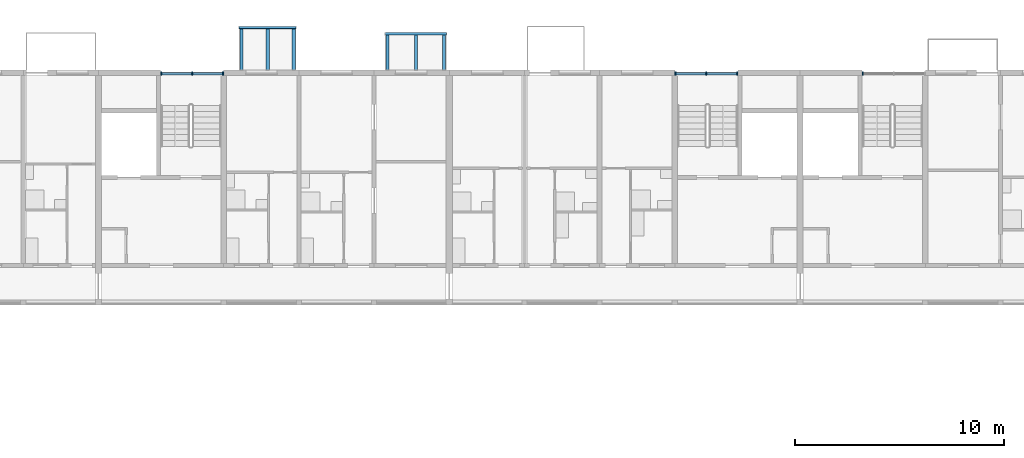
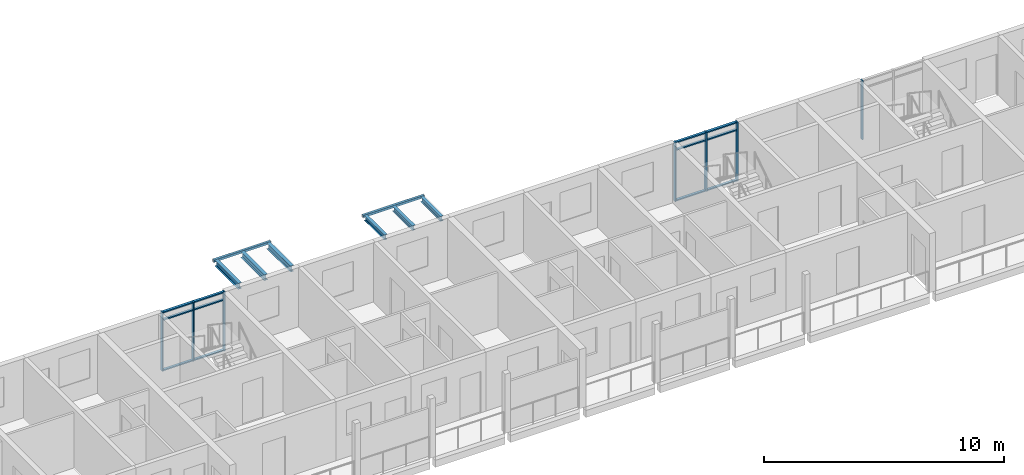
# One storey, part 22 of 100: 19 members, 8 beams, 3 elements without a shape of their own.
"""IFC4 building model written with IfcOpenShell, lengths in metres."""

from ifc_helpers import new_model, si_unit, direction, frame, origin, origin_2d, place, context, subcontext, project, spatial, rectangle, hollow_rectangle, i_section, extrude, material, material_profile, profile_set, type_object, element, aggregate, save


model = new_model("IFC4")

# Units and contexts
model_context = context("Model", 3, precision=1e-05, world=origin(), true_north=direction((0.0, 1.0)))
body_context = subcontext(model_context, "Body", "Model", "MODEL_VIEW")
ifc_project = project(units=[si_unit("LENGTHUNIT", "METRE"), si_unit("AREAUNIT", "SQUARE_METRE"), si_unit("VOLUMEUNIT", "CUBIC_METRE"), si_unit("PLANEANGLEUNIT", "RADIAN"), si_unit("MASSUNIT", "GRAM", prefix="KILO")], contexts=[model_context])

# Site, building, storey
site_placement = place(None, origin())
site = spatial("IfcSite", under=ifc_project, at=site_placement, CompositionType="ELEMENT")
building_placement = place(site_placement, origin())
building = spatial("IfcBuilding", under=site, at=building_placement, Name="Ridgestep Commons", CompositionType="ELEMENT")
storey_placement = place(building_placement, frame((0.0, 0.0, 9.0)))
storey = spatial("IfcBuildingStorey", under=building, at=storey_placement, Name="L03", CompositionType="ELEMENT", Elevation=9.0)

# Curtain wall, members
ifc_material_1 = material(Name="Aluminium 6063-T6 and glass", Category="aluminium")
curtain_wall_type = type_object("IfcCurtainWallType", Name="Curtain wall stair strip", PredefinedType="NOTDEFINED", material=ifc_material_1)
curtain_wall_1_placement = place(storey_placement, origin())
curtain_wall_1 = element("IfcCurtainWall", 1, at=curtain_wall_1_placement, inside=storey, type_object=curtain_wall_type, Name="Curtain wall C4C level 03", PredefinedType="NOTDEFINED")
ifc_material_2 = material(Name="Aluminium 6063-T6", Category="aluminium")
ifc_material_profile_1 = material_profile(ifc_material_2, rectangle(XDim=0.159912109375, YDim=0.06005859375, at=origin_2d()), Name="Mullion 60 x 160")
ifc_profile_set_1 = profile_set([ifc_material_profile_1], Name="Aluminium 6063-T6")
member_type_1 = type_object("IfcMemberType", Name="Mullion 60 x 160", PredefinedType="MULLION", material=ifc_profile_set_1)
member_1_placement = place(storey_placement, frame((200.205078125, 77.080078125, 0.0), z_axis=(0.0, 0.0, 1.0), x_axis=(0.0, 1.0, 0.0)))
member_1 = element("IfcMember", 2, at=member_1_placement, type_object=member_type_1, Name="CW1 mullion 1", PredefinedType="MULLION", context=body_context, shape_type="SweptSolid", body=[
    extrude(rectangle(XDim=0.159912109375, YDim=0.06005859375, at=origin_2d()), origin(), (0.0, 0.0, 1.0), 3.0),
])
member_2_placement = place(storey_placement, frame((201.6875, 77.080078125, 0.0), z_axis=(0.0, 0.0, 1.0), x_axis=(0.0, 1.0, 0.0)))
member_2 = element("IfcMember", 3, at=member_2_placement, type_object=member_type_1, Name="CW1 mullion 2", PredefinedType="MULLION", context=body_context, shape_type="SweptSolid", body=[
    extrude(rectangle(XDim=0.159912109375, YDim=0.06005859375, at=origin_2d()), origin(), (0.0, 0.0, 1.0), 3.0),
])
member_3_placement = place(storey_placement, frame((203.169921875, 77.080078125, 0.0), z_axis=(0.0, 0.0, 1.0), x_axis=(0.0, 1.0, 0.0)))
member_3 = element("IfcMember", 4, at=member_3_placement, type_object=member_type_1, Name="CW1 mullion 3", PredefinedType="MULLION", context=body_context, shape_type="SweptSolid", body=[
    extrude(rectangle(XDim=0.159912109375, YDim=0.06005859375, at=origin_2d()), origin(), (0.0, 0.0, 1.0), 3.0),
])

curtain_wall_2_placement = place(storey_placement, origin())
curtain_wall_2 = element("IfcCurtainWall", 5, at=curtain_wall_2_placement, inside=storey, type_object=curtain_wall_type, Name="Curtain wall C5C level 03", PredefinedType="NOTDEFINED")
member_4_placement = place(storey_placement, frame((224.830078125, 77.080078125, 0.0), z_axis=(0.0, 0.0, 1.0), x_axis=(0.0, 1.0, 0.0)))
member_4 = element("IfcMember", 6, at=member_4_placement, type_object=member_type_1, Name="CW1 mullion 1", PredefinedType="MULLION", context=body_context, shape_type="SweptSolid", body=[
    extrude(rectangle(XDim=0.159912109375, YDim=0.06005859375, at=origin_2d()), origin(), (0.0, 0.0, 1.0), 3.0),
])
member_5_placement = place(storey_placement, frame((226.3125, 77.080078125, 0.0), z_axis=(0.0, 0.0, 1.0), x_axis=(0.0, 1.0, 0.0)))
member_5 = element("IfcMember", 7, at=member_5_placement, type_object=member_type_1, Name="CW1 mullion 2", PredefinedType="MULLION", context=body_context, shape_type="SweptSolid", body=[
    extrude(rectangle(XDim=0.159912109375, YDim=0.06005859375, at=origin_2d()), origin(), (0.0, 0.0, 1.0), 3.0),
])
member_6_placement = place(storey_placement, frame((227.794921875, 77.080078125, 0.0), z_axis=(0.0, 0.0, 1.0), x_axis=(0.0, 1.0, 0.0)))
member_6 = element("IfcMember", 8, at=member_6_placement, type_object=member_type_1, Name="CW1 mullion 3", PredefinedType="MULLION", context=body_context, shape_type="SweptSolid", body=[
    extrude(rectangle(XDim=0.159912109375, YDim=0.06005859375, at=origin_2d()), origin(), (0.0, 0.0, 1.0), 3.0),
])

# Curtain wall, member
curtain_wall_3_placement = place(storey_placement, origin())
curtain_wall_3 = element("IfcCurtainWall", 9, at=curtain_wall_3_placement, inside=storey, type_object=curtain_wall_type, Name="Curtain wall C6C level 03", PredefinedType="NOTDEFINED")
member_7_placement = place(storey_placement, frame((233.804931640625, 77.080078125, 0.0), z_axis=(0.0, 0.0, 1.0), x_axis=(0.0, 1.0, 0.0)))
member_7 = element("IfcMember", 10, at=member_7_placement, type_object=member_type_1, Name="CW1 mullion 1", PredefinedType="MULLION", context=body_context, shape_type="SweptSolid", body=[
    extrude(rectangle(XDim=0.159912109375, YDim=0.06005859375, at=origin_2d()), origin(), (0.0, 0.0, 1.0), 3.0),
])
aggregate(curtain_wall_3, [member_7])

# Member
ifc_material_3 = material(Name="Aluminium 6063-T6", Category="aluminium")
ifc_material_profile_2 = material_profile(ifc_material_3, rectangle(XDim=0.1201171875, YDim=0.06005859375, at=origin_2d()), Name="Transom 60 x 120")
ifc_profile_set_2 = profile_set([ifc_material_profile_2], Name="Aluminium 6063-T6")
member_type_2 = type_object("IfcMemberType", Name="Transom 60 x 120", PredefinedType="USERDEFINED", material=ifc_profile_set_2)
member_8_placement = place(storey_placement, frame((200.235107421875, 77.080078125, 0.030029296875), z_axis=(1.0, 0.0, 0.0), x_axis=(0.0, 1.0, 0.0)))
member_8 = element("IfcMember", 11, at=member_8_placement, type_object=member_type_2, Name="CW1 transom 1.1", ObjectType="TRANSOM", PredefinedType="USERDEFINED", context=body_context, shape_type="SweptSolid", body=[
    extrude(rectangle(XDim=0.1201171875, YDim=0.06005859375, at=origin_2d()), origin(), (0.0, 0.0, 1.0), 1.42236328125),
])

member_9_placement = place(storey_placement, frame((200.235107421875, 77.080078125, 2.590087890625), z_axis=(1.0, 0.0, 0.0), x_axis=(0.0, 1.0, 0.0)))
member_9 = element("IfcMember", 12, at=member_9_placement, type_object=member_type_2, Name="CW1 transom 1.2", ObjectType="TRANSOM", PredefinedType="USERDEFINED", context=body_context, shape_type="SweptSolid", body=[
    extrude(rectangle(XDim=0.1201171875, YDim=0.06005859375, at=origin_2d()), origin(), (0.0, 0.0, 1.0), 1.42236328125),
])

member_10_placement = place(storey_placement, frame((200.235107421875, 77.080078125, 2.969970703125), z_axis=(1.0, 0.0, 0.0), x_axis=(0.0, 1.0, 0.0)))
member_10 = element("IfcMember", 13, at=member_10_placement, type_object=member_type_2, Name="CW1 transom 1.3", ObjectType="TRANSOM", PredefinedType="USERDEFINED", context=body_context, shape_type="SweptSolid", body=[
    extrude(rectangle(XDim=0.1201171875, YDim=0.06005859375, at=origin_2d()), origin(), (0.0, 0.0, 1.0), 1.42236328125),
])

member_11_placement = place(storey_placement, frame((201.717529296875, 77.080078125, 0.030029296875), z_axis=(1.0, 0.0, 0.0), x_axis=(0.0, 1.0, 0.0)))
member_11 = element("IfcMember", 14, at=member_11_placement, type_object=member_type_2, Name="CW1 transom 2.1", ObjectType="TRANSOM", PredefinedType="USERDEFINED", context=body_context, shape_type="SweptSolid", body=[
    extrude(rectangle(XDim=0.1201171875, YDim=0.06005859375, at=origin_2d()), origin(), (0.0, 0.0, 1.0), 1.42236328125),
])

member_12_placement = place(storey_placement, frame((201.717529296875, 77.080078125, 2.590087890625), z_axis=(1.0, 0.0, 0.0), x_axis=(0.0, 1.0, 0.0)))
member_12 = element("IfcMember", 15, at=member_12_placement, type_object=member_type_2, Name="CW1 transom 2.2", ObjectType="TRANSOM", PredefinedType="USERDEFINED", context=body_context, shape_type="SweptSolid", body=[
    extrude(rectangle(XDim=0.1201171875, YDim=0.06005859375, at=origin_2d()), origin(), (0.0, 0.0, 1.0), 1.42236328125),
])

member_13_placement = place(storey_placement, frame((201.717529296875, 77.080078125, 2.969970703125), z_axis=(1.0, 0.0, 0.0), x_axis=(0.0, 1.0, 0.0)))
member_13 = element("IfcMember", 16, at=member_13_placement, type_object=member_type_2, Name="CW1 transom 2.3", ObjectType="TRANSOM", PredefinedType="USERDEFINED", context=body_context, shape_type="SweptSolid", body=[
    extrude(rectangle(XDim=0.1201171875, YDim=0.06005859375, at=origin_2d()), origin(), (0.0, 0.0, 1.0), 1.42236328125),
])

aggregate(curtain_wall_1, [member_1, member_2, member_3, member_8, member_9, member_10, member_11, member_12, member_13])

member_14_placement = place(storey_placement, frame((224.860107421875, 77.080078125, 0.030029296875), z_axis=(1.0, 0.0, 0.0), x_axis=(0.0, 1.0, 0.0)))
member_14 = element("IfcMember", 17, at=member_14_placement, type_object=member_type_2, Name="CW1 transom 1.1", ObjectType="TRANSOM", PredefinedType="USERDEFINED", context=body_context, shape_type="SweptSolid", body=[
    extrude(rectangle(XDim=0.1201171875, YDim=0.06005859375, at=origin_2d()), origin(), (0.0, 0.0, 1.0), 1.42236328125),
])

member_15_placement = place(storey_placement, frame((224.860107421875, 77.080078125, 2.590087890625), z_axis=(1.0, 0.0, 0.0), x_axis=(0.0, 1.0, 0.0)))
member_15 = element("IfcMember", 18, at=member_15_placement, type_object=member_type_2, Name="CW1 transom 1.2", ObjectType="TRANSOM", PredefinedType="USERDEFINED", context=body_context, shape_type="SweptSolid", body=[
    extrude(rectangle(XDim=0.1201171875, YDim=0.06005859375, at=origin_2d()), origin(), (0.0, 0.0, 1.0), 1.42236328125),
])

member_16_placement = place(storey_placement, frame((224.860107421875, 77.080078125, 2.969970703125), z_axis=(1.0, 0.0, 0.0), x_axis=(0.0, 1.0, 0.0)))
member_16 = element("IfcMember", 19, at=member_16_placement, type_object=member_type_2, Name="CW1 transom 1.3", ObjectType="TRANSOM", PredefinedType="USERDEFINED", context=body_context, shape_type="SweptSolid", body=[
    extrude(rectangle(XDim=0.1201171875, YDim=0.06005859375, at=origin_2d()), origin(), (0.0, 0.0, 1.0), 1.42236328125),
])

member_17_placement = place(storey_placement, frame((226.342529296875, 77.080078125, 0.030029296875), z_axis=(1.0, 0.0, 0.0), x_axis=(0.0, 1.0, 0.0)))
member_17 = element("IfcMember", 20, at=member_17_placement, type_object=member_type_2, Name="CW1 transom 2.1", ObjectType="TRANSOM", PredefinedType="USERDEFINED", context=body_context, shape_type="SweptSolid", body=[
    extrude(rectangle(XDim=0.1201171875, YDim=0.06005859375, at=origin_2d()), origin(), (0.0, 0.0, 1.0), 1.42236328125),
])

member_18_placement = place(storey_placement, frame((226.342529296875, 77.080078125, 2.590087890625), z_axis=(1.0, 0.0, 0.0), x_axis=(0.0, 1.0, 0.0)))
member_18 = element("IfcMember", 21, at=member_18_placement, type_object=member_type_2, Name="CW1 transom 2.2", ObjectType="TRANSOM", PredefinedType="USERDEFINED", context=body_context, shape_type="SweptSolid", body=[
    extrude(rectangle(XDim=0.1201171875, YDim=0.06005859375, at=origin_2d()), origin(), (0.0, 0.0, 1.0), 1.42236328125),
])

member_19_placement = place(storey_placement, frame((226.342529296875, 77.080078125, 2.969970703125), z_axis=(1.0, 0.0, 0.0), x_axis=(0.0, 1.0, 0.0)))
member_19 = element("IfcMember", 22, at=member_19_placement, type_object=member_type_2, Name="CW1 transom 2.3", ObjectType="TRANSOM", PredefinedType="USERDEFINED", context=body_context, shape_type="SweptSolid", body=[
    extrude(rectangle(XDim=0.1201171875, YDim=0.06005859375, at=origin_2d()), origin(), (0.0, 0.0, 1.0), 1.42236328125),
])

aggregate(curtain_wall_2, [member_4, member_5, member_6, member_14, member_15, member_16, member_17, member_18, member_19])

# Beams
ifc_material_4 = material(Name="Weathering steel S355J2W", Category="steel")
ifc_material_profile_3 = material_profile(ifc_material_4, i_section(OverallWidth=0.14599609375, OverallDepth=0.25146484375, WebThickness=0.006103515625, FlangeThickness=0.008544921875, FilletRadius=0.007568359375, at=origin_2d()), Name="UB 254x146x31")
ifc_profile_set_3 = profile_set([ifc_material_profile_3], Name="Weathering steel S355J2W")
beam_type_1 = type_object("IfcBeamType", Name="Tray arm UB 254x146x31", PredefinedType="BEAM", material=ifc_profile_set_3)
for number, where, z_axis, x_axis, name in (
    (23, (211.050048828125, 77.264892578125, 2.8642578125), (0.0, 1.0, 0.0), (-1.0, 0.0, 0.0), "Tray arm C4T1-04.1"),
    (24, (212.39990234375, 77.264892578125, 2.8642578125), (0.0, 1.0, 0.0), (-1.0, 0.0, 0.0), "Tray arm C4T1-04.2"),
    (25, (213.75, 77.264892578125, 2.8642578125), (0.0, 1.0, 0.0), (-1.0, 0.0, 0.0), "Tray arm C4T1-04.3"),
):
    element("IfcBeam", number, at=place(storey_placement, frame(where, z_axis=z_axis, x_axis=x_axis)), inside=storey, type_object=beam_type_1, Name=name, PredefinedType="BEAM", context=body_context, shape_type="SweptSolid", body=[
        extrude(i_section(OverallWidth=0.14599609375, OverallDepth=0.25146484375, WebThickness=0.006103515625, FlangeThickness=0.008544921875, FilletRadius=0.007568359375, at=origin_2d()), origin(), (0.0, 0.0, 1.0), 1.6650390625),
    ])
ifc_material_5 = material(Name="Weathering steel S355J2W", Category="steel")
ifc_material_profile_4 = material_profile(ifc_material_5, i_section(OverallWidth=0.1650390625, OverallDepth=0.303466796875, WebThickness=0.006103515625, FlangeThickness=0.01025390625, FilletRadius=0.0087890625, at=origin_2d()), Name="UB 305x165x40")
ifc_profile_set_4 = profile_set([ifc_material_profile_4], Name="Weathering steel S355J2W")
beam_type_2 = type_object("IfcBeamType", Name="Tray arm UB 305x165x40", PredefinedType="BEAM", material=ifc_profile_set_4)
for number, where, z_axis, x_axis, name in (
    (26, (204.050048828125, 77.264892578125, 2.83837890625), (0.0, 1.0, 0.0), (-1.0, 0.0, 0.0), "Tray arm C4T3-04.1"),
    (27, (205.300048828125, 77.264892578125, 2.83837890625), (0.0, 1.0, 0.0), (-1.0, 0.0, 0.0), "Tray arm C4T3-04.2"),
    (28, (206.550048828125, 77.264892578125, 2.83837890625), (0.0, 1.0, 0.0), (-1.0, 0.0, 0.0), "Tray arm C4T3-04.3"),
):
    element("IfcBeam", number, at=place(storey_placement, frame(where, z_axis=z_axis, x_axis=x_axis)), inside=storey, type_object=beam_type_2, Name=name, PredefinedType="BEAM", context=body_context, shape_type="SweptSolid", body=[
        extrude(i_section(OverallWidth=0.1650390625, OverallDepth=0.303466796875, WebThickness=0.006103515625, FlangeThickness=0.01025390625, FilletRadius=0.0087890625, at=origin_2d()), origin(), (0.0, 0.0, 1.0), 1.965087890625),
    ])
ifc_material_6 = material(Name="Weathering steel S355J2W", Category="steel")
ifc_material_profile_5 = material_profile(ifc_material_6, hollow_rectangle(XDim=0.1201171875, YDim=0.1201171875, WallThickness=0.00634765625, InnerFilletRadius=0.00634765625, OuterFilletRadius=0.009521484375, at=origin_2d()), Name="SHS 120x120x6.3")
ifc_profile_set_5 = profile_set([ifc_material_profile_5], Name="Weathering steel S355J2W")
beam_type_3 = type_object("IfcBeamType", Name="Tray edge member SHS 120x120x6.3", PredefinedType="BEAM", material=ifc_profile_set_5)
beam_1_placement = place(storey_placement, frame((210.929931640625, 78.989990234375, 2.929931640625), z_axis=(1.0, 0.0, 0.0), x_axis=(0.0, 0.0, 1.0)))
element("IfcBeam", 29, at=beam_1_placement, inside=storey, type_object=beam_type_3, Name="Tray edge member C4T1-04", PredefinedType="BEAM", context=body_context, shape_type="SweptSolid", body=[
    extrude(hollow_rectangle(XDim=0.1201171875, YDim=0.1201171875, WallThickness=0.00634765625, InnerFilletRadius=0.00634765625, OuterFilletRadius=0.009521484375, at=origin_2d()), origin(), (0.0, 0.0, 1.0), 2.940185546875),
])
beam_2_placement = place(storey_placement, frame((203.929931640625, 79.2900390625, 2.929931640625), z_axis=(1.0, 0.0, 0.0), x_axis=(0.0, 0.0, 1.0)))
element("IfcBeam", 30, at=beam_2_placement, inside=storey, type_object=beam_type_3, Name="Tray edge member C4T3-04", PredefinedType="BEAM", context=body_context, shape_type="SweptSolid", body=[
    extrude(hollow_rectangle(XDim=0.1201171875, YDim=0.1201171875, WallThickness=0.00634765625, InnerFilletRadius=0.00634765625, OuterFilletRadius=0.009521484375, at=origin_2d()), origin(), (0.0, 0.0, 1.0), 2.739990234375),
])

save(model, "model.ifc")
